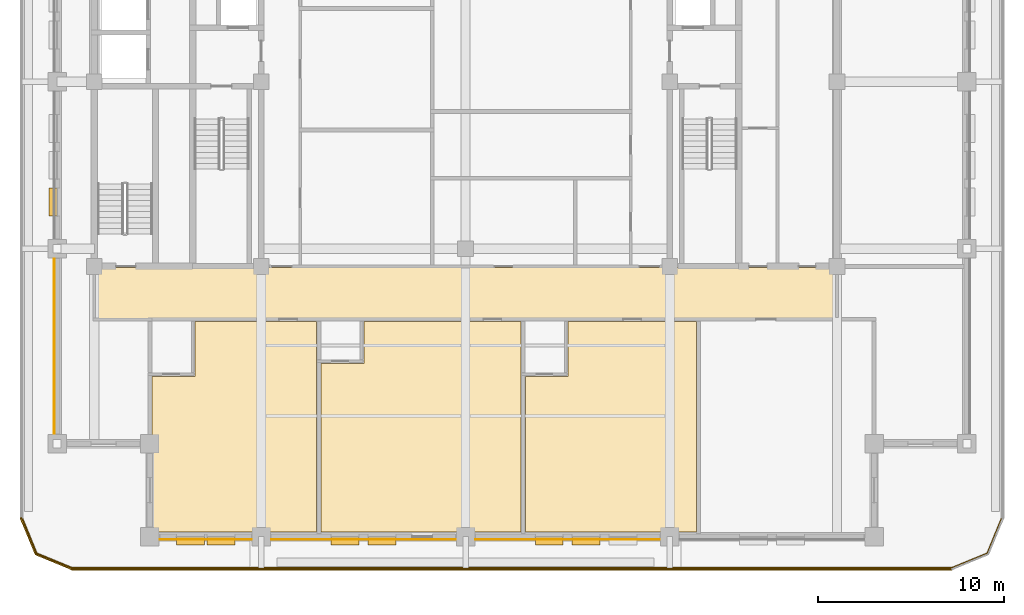
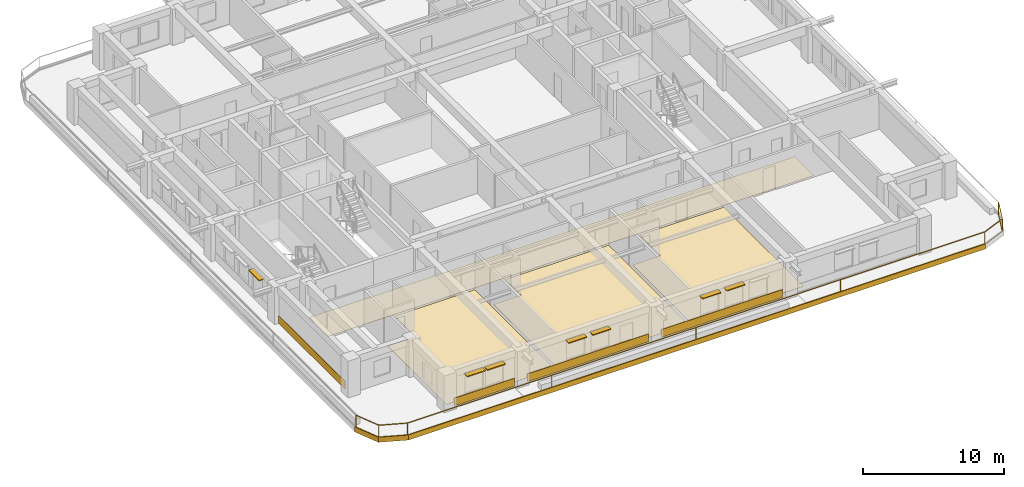
# One storey, part 8 of 13: 11 coverings, 7 shading devices, 1 railing.
"""IFC4 building model written with IfcOpenShell, lengths in metres."""

import ifcopenshell
import ifcopenshell.guid

model = None  # the IFC model being written
_history = None  # IfcOwnerHistory: only IFC2X3 demands one
_inside = {}  # id of a spatial element -> (the spatial element, [elements in it])
_under = {}  # id of a project, library or spatial element -> (it, [spatial elements below it])
_declared = {}  # id of a project -> (the project, [libraries it declares])
_typed = {}  # id of a type object -> (the type object, [elements of that type])
_made_of = {}  # id of a material, layer set ... -> (it, [elements and type objects made of it])


def new_model(schema):
    """Start an empty IFC model of exactly this schema.

    Asked for "IFC4X3", IfcOpenShell would pick the latest addendum, in which some entities
    have other attributes; the version numbers below select the first issue.
    IFC2X3 requires an IfcOwnerHistory on every rooted entity: one is made here for all.
    """
    global model, _history
    if schema == "IFC4X3":
        model = ifcopenshell.file(schema_version=(4, 3, 0, 0))
    else:
        model = ifcopenshell.file(schema=schema)
    _inside.clear()
    _under.clear()
    _declared.clear()
    _typed.clear()
    _made_of.clear()
    _history = None
    if model.schema == "IFC2X3":
        org = make("IfcOrganization", Name="unknown")
        user = make(
            "IfcPersonAndOrganization",
            ThePerson=make("IfcPerson", FamilyName="unknown"),
            TheOrganization=org,
        )
        app = make(
            "IfcApplication",
            ApplicationDeveloper=org,
            Version="unknown",
            ApplicationFullName="unknown",
            ApplicationIdentifier="unknown",
        )
        _history = make(
            "IfcOwnerHistory",
            OwningUser=user,
            OwningApplication=app,
            ChangeAction="ADDED",
            CreationDate=0,
        )
    return model


def make(cls, **values):
    """One entity of the class cls with the attributes given. An attribute that is None is left unset."""
    return model.create_entity(
        cls, **{name: value for name, value in values.items() if value is not None}
    )


def rooted(cls, **values):
    """An entity with a GlobalId (a new one), such as an element, a storey or a relation."""
    return make(cls, GlobalId=ifcopenshell.guid.new(), OwnerHistory=_history, **values)


def si_unit(unit_type, name, prefix=None):
    """IfcSIUnit, for example si_unit("LENGTHUNIT", "METRE", prefix="MILLI")."""
    return make("IfcSIUnit", UnitType=unit_type, Prefix=prefix, Name=name)


def assignment(units):
    """IfcUnitAssignment: the units of a project."""
    return None if units is None else make("IfcUnitAssignment", Units=units)


def point(xyz):
    """IfcCartesianPoint."""
    return None if xyz is None else make("IfcCartesianPoint", Coordinates=xyz)


def direction(xyz):
    """IfcDirection."""
    return None if xyz is None else make("IfcDirection", DirectionRatios=xyz)


def frame(location, z_axis=None, x_axis=None):
    """IfcAxis2Placement3D, a coordinate frame: its origin and axes. An axis left out is left unset."""
    return make(
        "IfcAxis2Placement3D",
        Location=point(location),
        Axis=direction(z_axis),
        RefDirection=direction(x_axis),
    )


def frame_2d(location, x_axis=None):
    """IfcAxis2Placement2D, a coordinate frame in the plane: its origin and x axis."""
    return make(
        "IfcAxis2Placement2D", Location=point(location), RefDirection=direction(x_axis)
    )


def origin():
    """The frame at (0, 0, 0) with its axes left unset."""
    return frame((0.0, 0.0, 0.0))


def origin_2d():
    """The frame at (0, 0) in the plane with its x axis left unset."""
    return frame_2d((0.0, 0.0))


def place(relative_to, where):
    """IfcLocalPlacement: puts the frame where relative to a parent placement (None: the world)."""
    return make(
        "IfcLocalPlacement", PlacementRelTo=relative_to, RelativePlacement=where
    )


def context(
    kind, dimensions, precision=None, world=None, true_north=None, identifier=None
):
    """IfcGeometricRepresentationContext, for example the 3D "Model" context."""
    return make(
        "IfcGeometricRepresentationContext",
        ContextIdentifier=identifier,
        ContextType=kind,
        CoordinateSpaceDimension=dimensions,
        Precision=precision,
        WorldCoordinateSystem=world,
        TrueNorth=true_north,
    )


def subcontext(parent, identifier, kind, view, scale=None):
    """IfcGeometricRepresentationSubContext, for example "Body" below "Model"."""
    return make(
        "IfcGeometricRepresentationSubContext",
        ContextIdentifier=identifier,
        ContextType=kind,
        ParentContext=parent,
        TargetScale=scale,
        TargetView=view,
    )


def project(units=None, contexts=None):
    """IfcProject with its units and contexts."""
    return rooted(
        "IfcProject",
        Name="project",
        RepresentationContexts=contexts,
        UnitsInContext=assignment(units),
    )


def spatial(cls, under=None, at=None, **own):
    """A site, building, storey or space (cls), placed at a placement, below another one or the project."""
    s = rooted(cls, ObjectPlacement=at, **own)
    if under is not None:
        _under.setdefault(under.id(), (under, []))[1].append(s)
    return s


def polyline(points):
    """IfcPolyline through the points."""
    return make("IfcPolyline", Points=[point(p) for p in points])


def profile(cls, at=None, kind="AREA", **sizes):
    """A parametric profile (cls). Its sizes go by their IFC names, for example OverallWidth=200.0."""
    return make(cls, ProfileType=kind, Position=at, **sizes)


def rectangle(**sizes):
    """IfcRectangleProfileDef."""
    return profile("IfcRectangleProfileDef", **sizes)


def outline(outer, holes=None, kind="AREA"):
    """IfcArbitraryClosedProfileDef: a profile drawn as a closed curve; with holes, ...WithVoids."""
    if holes is None:
        return make("IfcArbitraryClosedProfileDef", ProfileType=kind, OuterCurve=outer)
    return make(
        "IfcArbitraryProfileDefWithVoids",
        ProfileType=kind,
        OuterCurve=outer,
        InnerCurves=holes,
    )


def extrude(swept, where, along, depth):
    """IfcExtrudedAreaSolid: the profile swept, set in the frame where, extruded along a direction by depth."""
    return make(
        "IfcExtrudedAreaSolid",
        SweptArea=swept,
        Position=where,
        ExtrudedDirection=direction(along),
        Depth=depth,
    )


def shape(context_of_items, identifier, shape_type, items):
    """IfcShapeRepresentation: the items that make up one representation, for example the "Body"."""
    return make(
        "IfcShapeRepresentation",
        ContextOfItems=context_of_items,
        RepresentationIdentifier=identifier,
        RepresentationType=shape_type,
        Items=items,
    )


def material(Name=None, Category=None):
    """IfcMaterial."""
    return make("IfcMaterial", Name=Name, Category=Category)


def layer(
    of_material, thickness, ventilated=None, Name=None, Category=None, Priority=None
):
    """IfcMaterialLayer: one layer of a wall or slab, of a material (None: an air gap)."""
    return make(
        "IfcMaterialLayer",
        Material=of_material,
        LayerThickness=thickness,
        IsVentilated=ventilated,
        Name=Name,
        Category=Category,
        Priority=Priority,
    )


def layer_set(layers, Name=None):
    """IfcMaterialLayerSet."""
    return make("IfcMaterialLayerSet", MaterialLayers=layers, LayerSetName=Name)


def made_of(thing, what):
    """Note that an element or type object is made of a material, layer set ...; save() writes the relation."""
    if what is not None:
        _made_of.setdefault(what.id(), (what, []))[1].append(thing)
    return thing


def type_object(cls, material=None, **own):
    """A type object (cls), such as IfcWallType, which elements share."""
    return made_of(rooted(cls, **own), material)


def element(
    cls,
    number,
    at=None,
    inside=None,
    cuts=None,
    type_object=None,
    material=None,
    context=None,
    identifier="Body",
    shape_type=None,
    held_by="IfcProductDefinitionShape",
    body=None,
    shapes=None,
    **own,
):
    """One element of the class cls, such as IfcWall. Its Tag is "e" and its number.

    at: its placement. inside: the storey or other place that contains it. cuts: it is an
    opening in that element (IfcRelVoidsElement). A single representation is given by context,
    identifier, shape_type and body (its items); several are given by shapes. held_by: the class
    of the entity that holds the representations. save() writes the other relations.
    """
    e = rooted(cls, Tag="e%d" % number, ObjectPlacement=at, **own)
    if body is not None:
        shapes = [shape(context, identifier, shape_type, body)]
    if shapes is not None:
        e.Representation = make(held_by, Representations=shapes)
    if inside is not None:
        _inside.setdefault(inside.id(), (inside, []))[1].append(e)
    if cuts is not None:
        rooted(
            "IfcRelVoidsElement", RelatingBuildingElement=cuts, RelatedOpeningElement=e
        )
    if type_object is not None:
        _typed.setdefault(type_object.id(), (type_object, []))[1].append(e)
    return made_of(e, material)


def aggregate(whole, parts):
    """IfcRelAggregates: a whole, such as a stair, and the parts it consists of."""
    return rooted("IfcRelAggregates", RelatingObject=whole, RelatedObjects=parts)


def save(model, path):
    """Write the relations noted so far, then the file.

    IfcRelAggregates (storeys below a building ...), IfcRelContainedInSpatialStructure (elements
    in a storey), IfcRelDefinesByType, IfcRelAssociatesMaterial and IfcRelDeclares: one each for
    every whole, place, type object, material and project.
    """
    for whole, parts in _under.values():
        aggregate(whole, parts)
    for where, things in _inside.values():
        rooted(
            "IfcRelContainedInSpatialStructure",
            RelatedElements=things,
            RelatingStructure=where,
        )
    for kind, things in _typed.values():
        rooted("IfcRelDefinesByType", RelatedObjects=things, RelatingType=kind)
    for what, things in _made_of.values():
        rooted("IfcRelAssociatesMaterial", RelatedObjects=things, RelatingMaterial=what)
    for by, libraries in _declared.values():
        rooted("IfcRelDeclares", RelatingContext=by, RelatedDefinitions=libraries)
    model.write(path)


model = new_model("IFC4")

# Units and contexts
model_context = context("Model", 3, precision=1e-05, world=origin(), true_north=direction((0.0, 1.0)))
body_context = subcontext(model_context, "Body", "Model", "MODEL_VIEW")
ifc_project = project(units=[si_unit("LENGTHUNIT", "METRE"), si_unit("AREAUNIT", "SQUARE_METRE"), si_unit("VOLUMEUNIT", "CUBIC_METRE"), si_unit("PLANEANGLEUNIT", "RADIAN"), si_unit("MASSUNIT", "GRAM", prefix="KILO")], contexts=[model_context])

# Site, building, storey
site_placement = place(None, origin())
site = spatial("IfcSite", under=ifc_project, at=site_placement, CompositionType="ELEMENT")
building_placement = place(site_placement, origin())
building = spatial("IfcBuilding", under=site, at=building_placement, Name="Zulmaris Gate Convention Tower", CompositionType="ELEMENT")
storey_placement = place(building_placement, frame((0.0, 0.0, 176.259765625)))
storey = spatial("IfcBuildingStorey", under=building, at=storey_placement, Name="L45", CompositionType="ELEMENT", Elevation=176.259765625)

# Coverings
ifc_material_1 = material(Name="Precast concrete C40/50", Category="concrete")
ifc_layer_1 = layer(ifc_material_1, 0.0400390625, Name="Precast concrete C40/50")
ifc_layer_set_1 = layer_set([ifc_layer_1], Name="Precast concrete C40/50")
covering_type_1 = type_object("IfcCoveringType", Name="CLAD-SPANDREL-PRECAST", PredefinedType="CLADDING", material=ifc_layer_set_1)
covering_1_placement = place(storey_placement, frame((-16.469970703125, -24.64990234375, 0.0), z_axis=(0.0, 0.0, 1.0), x_axis=(1.0, 0.0, 0.0)))
element("IfcCovering", 1, at=covering_1_placement, inside=storey, type_object=covering_type_1, Name="CLD-L45-S-0_0", PredefinedType="CLADDING", context=body_context, shape_type="SweptSolid", body=[
    extrude(rectangle(XDim=4.93994140625, YDim=0.0400390625, at=frame_2d((2.469970703125, 0.0))), origin(), (0.0, 0.0, 1.0), 0.679931640625),
])
for number, where, z_axis, x_axis, name in (
    (2, (-10.469970703125, -24.64990234375, 0.0), (0.0, 0.0, 1.0), (1.0, 0.0, 0.0), "CLD-L45-S-1_0"),
    (3, (0.530029296875, -24.64990234375, 0.0), (0.0, 0.0, 1.0), (1.0, 0.0, 0.0), "CLD-L45-S-2_0"),
):
    element("IfcCovering", number, at=place(storey_placement, frame(where, z_axis=z_axis, x_axis=x_axis)), inside=storey, type_object=covering_type_1, Name=name, PredefinedType="CLADDING", context=body_context, shape_type="SweptSolid", body=[
        extrude(rectangle(XDim=9.93994140625, YDim=0.0400390625, at=frame_2d((4.969970703125, 0.0))), origin(), (0.0, 0.0, 1.0), 0.679931640625),
    ])
covering_2_placement = place(storey_placement, frame((-22.14990234375, -9.530029296875, 0.0), z_axis=(0.0, 0.0, 1.0), x_axis=(0.0, -1.0, 0.0)))
element("IfcCovering", 4, at=covering_2_placement, inside=storey, type_object=covering_type_1, Name="CLD-L45-W-0_0", PredefinedType="CLADDING", context=body_context, shape_type="SweptSolid", body=[
    extrude(rectangle(XDim=9.43994140625, YDim=0.0400390625, at=frame_2d((4.719970703125, 0.0))), origin(), (0.0, 0.0, 1.0), 0.679931640625),
])
ifc_material_2 = material(Name="White Glazed Architectural Precast Concrete C40/50", Category="concrete")
ifc_layer_2 = layer(ifc_material_2, 0.080078125, Name="White Glazed Architectural Precast Concrete C40/50")
ifc_layer_set_2 = layer_set([ifc_layer_2], Name="White Glazed Architectural Precast Concrete C40/50")
covering_type_2 = type_object("IfcCoveringType", Name="CLAD-TRAY-FASCIA", PredefinedType="CLADDING", material=ifc_layer_set_2)
covering_3_placement = place(storey_placement, frame((-23.962890625, -23.484619140625, -0.31494140625), z_axis=(0.0, 0.0, 1.0), x_axis=(0.382656984709, -0.923890487046, 0.0)))
element("IfcCovering", 5, at=covering_3_placement, inside=storey, type_object=covering_type_2, Name="FSC-L45-TR-00", PredefinedType="CLADDING", context=body_context, shape_type="SweptSolid", body=[
    extrude(rectangle(XDim=2.14306640625, YDim=0.080078125, at=frame_2d((1.071533203125, 0.0))), origin(), (0.0, 0.0, 1.0), 0.43994140625),
])
covering_4_placement = place(storey_placement, frame((-23.16455078125, -25.44287109375, -0.31494140625), z_axis=(0.0, 0.0, 1.0), x_axis=(0.923873803533, -0.382697263049, 0.0)))
element("IfcCovering", 6, at=covering_4_placement, inside=storey, type_object=covering_type_2, Name="FSC-L45-TR-01", PredefinedType="CLADDING", context=body_context, shape_type="SweptSolid", body=[
    extrude(rectangle(XDim=2.142822265625, YDim=0.080078125, at=frame_2d((1.0712890625, 0.0))), origin(), (0.0, 0.0, 1.0), 0.43994140625),
])
covering_5_placement = place(storey_placement, frame((-21.199951171875, -26.260009765625, -0.31494140625), z_axis=(0.0, 0.0, 1.0), x_axis=(1.0, 0.0, 0.0)))
element("IfcCovering", 7, at=covering_5_placement, inside=storey, type_object=covering_type_2, Name="FSC-L45-TR-02", PredefinedType="CLADDING", context=body_context, shape_type="SweptSolid", body=[
    extrude(rectangle(XDim=47.39990234375, YDim=0.080078125, at=frame_2d((23.699951171875, 0.0))), origin(), (0.0, 0.0, 1.0), 0.43994140625),
])
ifc_material_3 = material(Name="Woven Acoustic Wool Carpet Tile")
ifc_layer_3 = layer(ifc_material_3, 0.02001953125, Name="Woven Acoustic Wool Carpet Tile")
ifc_layer_set_3 = layer_set([ifc_layer_3], Name="Woven Acoustic Wool Carpet Tile")
covering_type_3 = type_object("IfcCoveringType", Name="FLR-CARPET-12", PredefinedType="FLOORING", material=ifc_layer_set_3)
covering_6_placement = place(storey_placement, origin())
element("IfcCovering", 8, at=covering_6_placement, inside=storey, type_object=covering_type_3, Name="FLR-L45-R33", PredefinedType="FLOORING", context=body_context, shape_type="SweptSolid", body=[
    extrude(outline(polyline([(-19.93994140625, -12.739990234375), (19.93994140625, -12.739990234375), (19.93994140625, -10.010009765625), (-19.93994140625, -10.010009765625), (-19.93994140625, -12.739990234375)])), origin(), (0.0, 0.0, 1.0), 0.02001953125),
])
ifc_material_4 = material(Name="Engineered Teak Parquet Flooring")
ifc_layer_4 = layer(ifc_material_4, 0.02001953125, Name="Engineered Teak Parquet Flooring")
ifc_layer_set_4 = layer_set([ifc_layer_4], Name="Engineered Teak Parquet Flooring")
covering_type_4 = type_object("IfcCoveringType", Name="FLR-TIMBER-18", PredefinedType="FLOORING", material=ifc_layer_set_4)
covering_7_placement = place(storey_placement, origin())
element("IfcCovering", 9, at=covering_7_placement, inside=storey, type_object=covering_type_4, Name="FLR-L45-R43", PredefinedType="FLOORING", context=body_context, shape_type="SweptSolid", body=[
    extrude(outline(polyline([(-16.8798828125, -24.260009765625), (-8.02001953125, -24.260009765625), (-8.02001953125, -12.919921875), (-14.580078125, -12.919921875), (-14.580078125, -15.8701171875), (-16.8798828125, -15.8701171875), (-16.8798828125, -24.260009765625)])), origin(), (0.0, 0.0, 1.0), 0.02001953125),
])
covering_8_placement = place(storey_placement, origin())
element("IfcCovering", 10, at=covering_8_placement, inside=storey, type_object=covering_type_4, Name="FLR-L45-R45", PredefinedType="FLOORING", context=body_context, shape_type="SweptSolid", body=[
    extrude(outline(polyline([(-7.780029296875, -24.260009765625), (2.97998046875, -24.260009765625), (2.97998046875, -12.919921875), (-5.47998046875, -12.919921875), (-5.47998046875, -15.169921875), (-7.780029296875, -15.169921875), (-7.780029296875, -24.260009765625)])), origin(), (0.0, 0.0, 1.0), 0.02001953125),
])
covering_9_placement = place(storey_placement, origin())
element("IfcCovering", 11, at=covering_9_placement, inside=storey, type_object=covering_type_4, Name="FLR-L45-R47", PredefinedType="FLOORING", context=body_context, shape_type="SweptSolid", body=[
    extrude(outline(polyline([(3.219970703125, -24.260009765625), (12.429931640625, -24.260009765625), (12.429931640625, -12.919921875), (5.52001953125, -12.919921875), (5.52001953125, -15.8701171875), (3.219970703125, -15.8701171875), (3.219970703125, -24.260009765625)])), origin(), (0.0, 0.0, 1.0), 0.02001953125),
])

# Railing
ifc_material_5 = material(Name="Laminated Glass and Stainless Steel", Category="steel")
railing_type = type_object("IfcRailingType", Name="RL-BALC-1150", PredefinedType="BALUSTRADE", material=ifc_material_5)
railing_placement = place(storey_placement, frame((-23.8798828125, -23.5, -0.034912109375)))
element("IfcRailing", 12, at=railing_placement, inside=storey, type_object=railing_type, Name="RL-L45-BALC-S", PredefinedType="BALUSTRADE", context=body_context, shape_type="SweptSolid", body=[
    extrude(rectangle(XDim=0.048095703125, YDim=0.048095703125, at=origin_2d()), frame((0.0, 0.0, 1.1259765625), z_axis=(0.382670664694, -0.92388482095, 0.0), x_axis=(0.92388482095, 0.382670664694, 0.0)), (0.0, 0.0, 1.0), 2.051025390625),
    extrude(rectangle(XDim=0.048095703125, YDim=0.048095703125, at=origin_2d()), frame((0.0, 0.0, 0.02392578125), z_axis=(0.382670664694, -0.92388482095, 0.0), x_axis=(0.92388482095, 0.382670664694, 0.0)), (0.0, 0.0, 1.0), 2.051025390625),
    extrude(rectangle(XDim=0.048095703125, YDim=0.048095703125, at=origin_2d()), frame((0.784912109375, -1.89501953125, 1.1259765625), z_axis=(0.92388482095, -0.382670664694, 0.0), x_axis=(0.382670664694, 0.92388482095, 0.0)), (0.0, 0.0, 1.0), 2.051025390625),
    extrude(rectangle(XDim=0.048095703125, YDim=0.048095703125, at=origin_2d()), frame((0.784912109375, -1.89501953125, 0.02392578125), z_axis=(0.92388482095, -0.382670664694, 0.0), x_axis=(0.382670664694, 0.92388482095, 0.0)), (0.0, 0.0, 1.0), 2.051025390625),
    extrude(rectangle(XDim=0.048095703125, YDim=0.048095703125, at=origin_2d()), frame((2.679931640625, -2.679931640625, 1.1259765625), z_axis=(1.0, 0.0, 0.0), x_axis=(0.0, 1.0, 0.0)), (0.0, 0.0, 1.0), 47.39990234375),
    extrude(rectangle(XDim=0.048095703125, YDim=0.048095703125, at=origin_2d()), frame((2.679931640625, -2.679931640625, 0.02392578125), z_axis=(1.0, 0.0, 0.0), x_axis=(0.0, 1.0, 0.0)), (0.0, 0.0, 1.0), 47.39990234375),
    extrude(rectangle(XDim=0.048095703125, YDim=0.048095703125, at=origin_2d()), frame((50.079833984375, -2.679931640625, 1.1259765625), z_axis=(0.92388482095, 0.382670664694, 0.0), x_axis=(-0.382670664694, 0.92388482095, 0.0)), (0.0, 0.0, 1.0), 2.051025390625),
    extrude(rectangle(XDim=0.048095703125, YDim=0.048095703125, at=origin_2d()), frame((50.079833984375, -2.679931640625, 0.02392578125), z_axis=(0.92388482095, 0.382670664694, 0.0), x_axis=(-0.382670664694, 0.92388482095, 0.0)), (0.0, 0.0, 1.0), 2.051025390625),
    extrude(rectangle(XDim=0.048095703125, YDim=0.048095703125, at=origin_2d()), frame((51.974853515625, -1.89501953125, 1.1259765625), z_axis=(0.382670664694, 0.92388482095, 0.0), x_axis=(-0.92388482095, 0.382670664694, 0.0)), (0.0, 0.0, 1.0), 2.051025390625),
    extrude(rectangle(XDim=0.048095703125, YDim=0.048095703125, at=origin_2d()), frame((51.974853515625, -1.89501953125, 0.02392578125), z_axis=(0.382670664694, 0.92388482095, 0.0), x_axis=(-0.92388482095, 0.382670664694, 0.0)), (0.0, 0.0, 1.0), 2.051025390625),
    extrude(rectangle(XDim=0.0419921875, YDim=0.0419921875, at=origin_2d()), origin(), (0.0, 0.0, 1.0), 1.101806640625),
    extrude(rectangle(XDim=0.0419921875, YDim=0.0419921875, at=origin_2d()), frame((0.784912109375, -1.89501953125, 0.0)), (0.0, 0.0, 1.0), 1.101806640625),
    extrude(rectangle(XDim=0.0419921875, YDim=0.0419921875, at=origin_2d()), frame((2.679931640625, -2.679931640625, 0.0)), (0.0, 0.0, 1.0), 1.101806640625),
    extrude(rectangle(XDim=0.0419921875, YDim=0.0419921875, at=origin_2d()), frame((14.52978515625, -2.679931640625, 0.0)), (0.0, 0.0, 1.0), 1.101806640625),
    extrude(rectangle(XDim=0.0419921875, YDim=0.0419921875, at=origin_2d()), frame((26.3798828125, -2.679931640625, 0.0)), (0.0, 0.0, 1.0), 1.101806640625),
    extrude(rectangle(XDim=0.0419921875, YDim=0.0419921875, at=origin_2d()), frame((38.22998046875, -2.679931640625, 0.0)), (0.0, 0.0, 1.0), 1.101806640625),
    extrude(rectangle(XDim=0.0419921875, YDim=0.0419921875, at=origin_2d()), frame((50.079833984375, -2.679931640625, 0.0)), (0.0, 0.0, 1.0), 1.101806640625),
    extrude(rectangle(XDim=0.0419921875, YDim=0.0419921875, at=origin_2d()), frame((51.974853515625, -1.89501953125, 0.0)), (0.0, 0.0, 1.0), 1.101806640625),
    extrude(rectangle(XDim=0.0419921875, YDim=0.0419921875, at=origin_2d()), frame((52.759765625, 0.0, 0.0)), (0.0, 0.0, 1.0), 1.101806640625),
])

# Shading devices
ifc_material_6 = material(Name="Glazed Ceramic Terracotta", Category="masonry")
ifc_layer_5 = layer(ifc_material_6, 0.070068359375, Name="Glazed Ceramic Terracotta")
ifc_layer_set_5 = layer_set([ifc_layer_5], Name="Glazed Ceramic Terracotta")
shading_device_type = type_object("IfcShadingDeviceType", Name="SHD-SUNSHADE-TC", PredefinedType="AWNING", material=ifc_layer_set_5)
for number, where, z_axis, x_axis, name in (
    (13, (-15.572998046875, -24.719970703125, 2.35009765625), (0.0, 0.0, 1.0), (1.0, 0.0, 0.0), "SHD-EW-L45-S-0_0-1"),
    (14, (-13.927001953125, -24.719970703125, 2.35009765625), (0.0, 0.0, 1.0), (1.0, 0.0, 0.0), "SHD-EW-L45-S-0_0-2"),
    (15, (-7.243896484375, -24.719970703125, 2.35009765625), (0.0, 0.0, 1.0), (1.0, 0.0, 0.0), "SHD-EW-L45-S-1_0-2"),
    (16, (-5.256103515625, -24.719970703125, 2.35009765625), (0.0, 0.0, 1.0), (1.0, 0.0, 0.0), "SHD-EW-L45-S-1_0-3"),
    (17, (3.756103515625, -24.719970703125, 2.35009765625), (0.0, 0.0, 1.0), (1.0, 0.0, 0.0), "SHD-EW-L45-S-2_0-2"),
    (18, (5.743896484375, -24.719970703125, 2.35009765625), (0.0, 0.0, 1.0), (1.0, 0.0, 0.0), "SHD-EW-L45-S-2_0-3"),
    (19, (-22.219970703125, -5.735107421875, 2.35009765625), (0.0, 0.0, 1.0), (0.0, -1.0, 0.0), "SHD-EW-L45-W-1_0-3"),
):
    element("IfcShadingDevice", number, at=place(storey_placement, frame(where, z_axis=z_axis, x_axis=x_axis)), inside=storey, type_object=shading_device_type, Name=name, PredefinedType="AWNING", context=body_context, shape_type="SweptSolid", body=[
        extrude(rectangle(XDim=1.5, YDim=0.43994140625, at=frame_2d((0.75, 0.0))), origin(), (0.0, 0.0, 1.0), 0.06982421875),
    ])

save(model, "model.ifc")
